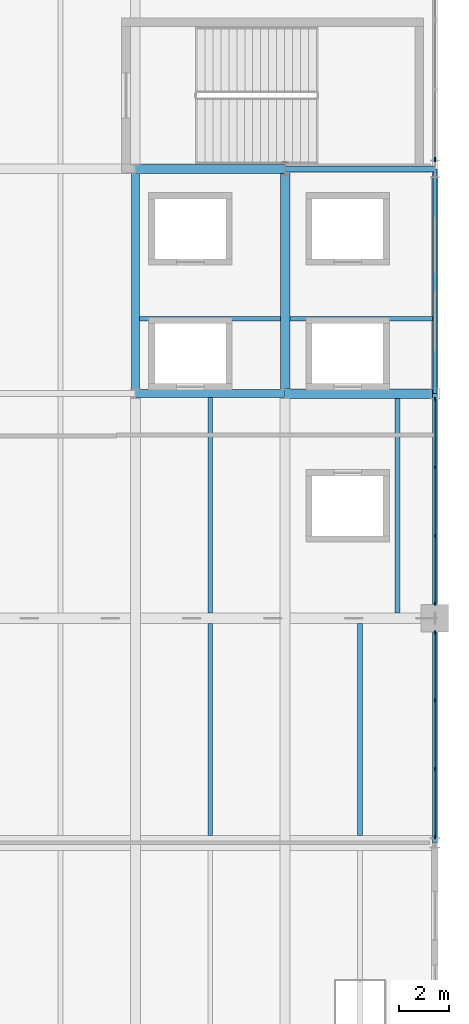
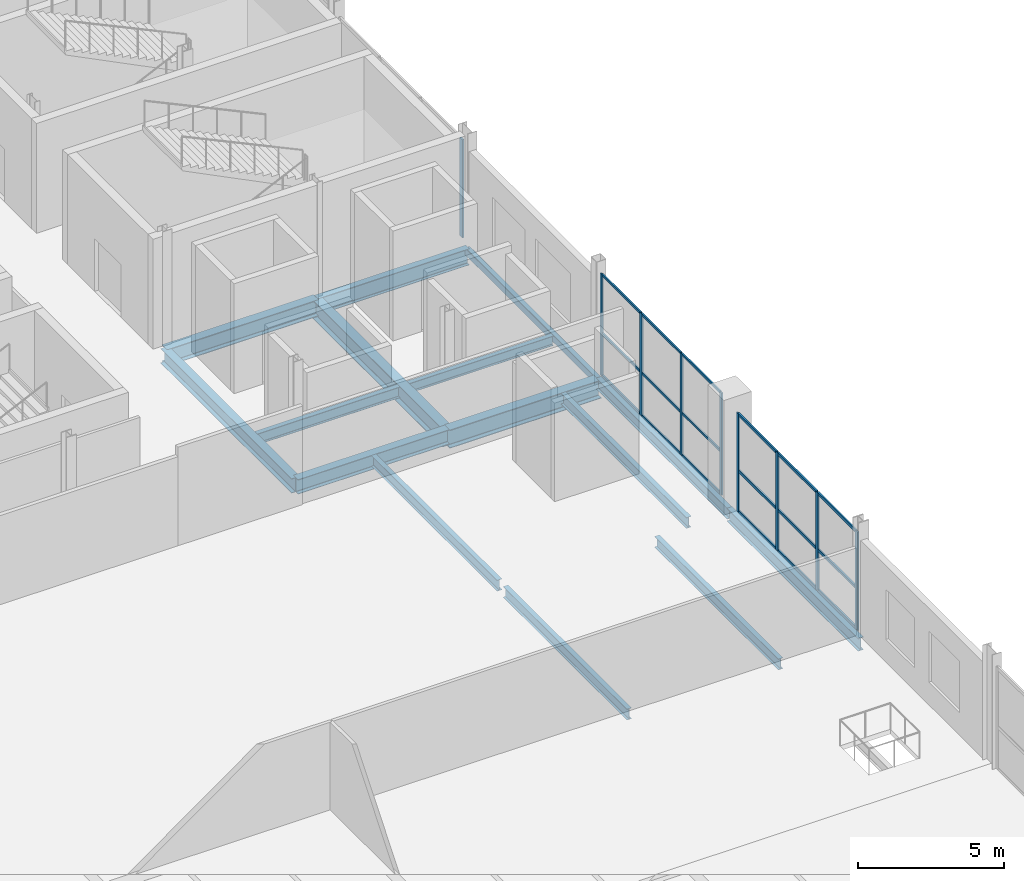
# One storey, part 23 of 69: 27 members, 15 beams, 3 elements without a shape of their own.
"""IFC4 building model written with IfcOpenShell, lengths in metres."""

import ifcopenshell
import ifcopenshell.guid

model = None  # the IFC model being written
_history = None  # IfcOwnerHistory: only IFC2X3 demands one
_inside = {}  # id of a spatial element -> (the spatial element, [elements in it])
_under = {}  # id of a project, library or spatial element -> (it, [spatial elements below it])
_declared = {}  # id of a project -> (the project, [libraries it declares])
_typed = {}  # id of a type object -> (the type object, [elements of that type])
_made_of = {}  # id of a material, layer set ... -> (it, [elements and type objects made of it])


def new_model(schema):
    """Start an empty IFC model of exactly this schema.

    Asked for "IFC4X3", IfcOpenShell would pick the latest addendum, in which some entities
    have other attributes; the version numbers below select the first issue.
    IFC2X3 requires an IfcOwnerHistory on every rooted entity: one is made here for all.
    """
    global model, _history
    if schema == "IFC4X3":
        model = ifcopenshell.file(schema_version=(4, 3, 0, 0))
    else:
        model = ifcopenshell.file(schema=schema)
    _inside.clear()
    _under.clear()
    _declared.clear()
    _typed.clear()
    _made_of.clear()
    _history = None
    if model.schema == "IFC2X3":
        org = make("IfcOrganization", Name="unknown")
        user = make(
            "IfcPersonAndOrganization",
            ThePerson=make("IfcPerson", FamilyName="unknown"),
            TheOrganization=org,
        )
        app = make(
            "IfcApplication",
            ApplicationDeveloper=org,
            Version="unknown",
            ApplicationFullName="unknown",
            ApplicationIdentifier="unknown",
        )
        _history = make(
            "IfcOwnerHistory",
            OwningUser=user,
            OwningApplication=app,
            ChangeAction="ADDED",
            CreationDate=0,
        )
    return model


def make(cls, **values):
    """One entity of the class cls with the attributes given. An attribute that is None is left unset."""
    return model.create_entity(
        cls, **{name: value for name, value in values.items() if value is not None}
    )


def rooted(cls, **values):
    """An entity with a GlobalId (a new one), such as an element, a storey or a relation."""
    return make(cls, GlobalId=ifcopenshell.guid.new(), OwnerHistory=_history, **values)


def si_unit(unit_type, name, prefix=None):
    """IfcSIUnit, for example si_unit("LENGTHUNIT", "METRE", prefix="MILLI")."""
    return make("IfcSIUnit", UnitType=unit_type, Prefix=prefix, Name=name)


def assignment(units):
    """IfcUnitAssignment: the units of a project."""
    return None if units is None else make("IfcUnitAssignment", Units=units)


def point(xyz):
    """IfcCartesianPoint."""
    return None if xyz is None else make("IfcCartesianPoint", Coordinates=xyz)


def direction(xyz):
    """IfcDirection."""
    return None if xyz is None else make("IfcDirection", DirectionRatios=xyz)


def frame(location, z_axis=None, x_axis=None):
    """IfcAxis2Placement3D, a coordinate frame: its origin and axes. An axis left out is left unset."""
    return make(
        "IfcAxis2Placement3D",
        Location=point(location),
        Axis=direction(z_axis),
        RefDirection=direction(x_axis),
    )


def frame_2d(location, x_axis=None):
    """IfcAxis2Placement2D, a coordinate frame in the plane: its origin and x axis."""
    return make(
        "IfcAxis2Placement2D", Location=point(location), RefDirection=direction(x_axis)
    )


def origin():
    """The frame at (0, 0, 0) with its axes left unset."""
    return frame((0.0, 0.0, 0.0))


def origin_2d():
    """The frame at (0, 0) in the plane with its x axis left unset."""
    return frame_2d((0.0, 0.0))


def place(relative_to, where):
    """IfcLocalPlacement: puts the frame where relative to a parent placement (None: the world)."""
    return make(
        "IfcLocalPlacement", PlacementRelTo=relative_to, RelativePlacement=where
    )


def context(
    kind, dimensions, precision=None, world=None, true_north=None, identifier=None
):
    """IfcGeometricRepresentationContext, for example the 3D "Model" context."""
    return make(
        "IfcGeometricRepresentationContext",
        ContextIdentifier=identifier,
        ContextType=kind,
        CoordinateSpaceDimension=dimensions,
        Precision=precision,
        WorldCoordinateSystem=world,
        TrueNorth=true_north,
    )


def subcontext(parent, identifier, kind, view, scale=None):
    """IfcGeometricRepresentationSubContext, for example "Body" below "Model"."""
    return make(
        "IfcGeometricRepresentationSubContext",
        ContextIdentifier=identifier,
        ContextType=kind,
        ParentContext=parent,
        TargetScale=scale,
        TargetView=view,
    )


def project(units=None, contexts=None):
    """IfcProject with its units and contexts."""
    return rooted(
        "IfcProject",
        Name="project",
        RepresentationContexts=contexts,
        UnitsInContext=assignment(units),
    )


def spatial(cls, under=None, at=None, **own):
    """A site, building, storey or space (cls), placed at a placement, below another one or the project."""
    s = rooted(cls, ObjectPlacement=at, **own)
    if under is not None:
        _under.setdefault(under.id(), (under, []))[1].append(s)
    return s


def profile(cls, at=None, kind="AREA", **sizes):
    """A parametric profile (cls). Its sizes go by their IFC names, for example OverallWidth=200.0."""
    return make(cls, ProfileType=kind, Position=at, **sizes)


def rectangle(**sizes):
    """IfcRectangleProfileDef."""
    return profile("IfcRectangleProfileDef", **sizes)


def hollow_rectangle(**sizes):
    """IfcRectangleHollowProfileDef."""
    return profile("IfcRectangleHollowProfileDef", **sizes)


def i_section(**sizes):
    """IfcIShapeProfileDef."""
    return profile("IfcIShapeProfileDef", **sizes)


def extrude(swept, where, along, depth):
    """IfcExtrudedAreaSolid: the profile swept, set in the frame where, extruded along a direction by depth."""
    return make(
        "IfcExtrudedAreaSolid",
        SweptArea=swept,
        Position=where,
        ExtrudedDirection=direction(along),
        Depth=depth,
    )


def shape(context_of_items, identifier, shape_type, items):
    """IfcShapeRepresentation: the items that make up one representation, for example the "Body"."""
    return make(
        "IfcShapeRepresentation",
        ContextOfItems=context_of_items,
        RepresentationIdentifier=identifier,
        RepresentationType=shape_type,
        Items=items,
    )


def material(Name=None, Category=None):
    """IfcMaterial."""
    return make("IfcMaterial", Name=Name, Category=Category)


def layer(
    of_material, thickness, ventilated=None, Name=None, Category=None, Priority=None
):
    """IfcMaterialLayer: one layer of a wall or slab, of a material (None: an air gap)."""
    return make(
        "IfcMaterialLayer",
        Material=of_material,
        LayerThickness=thickness,
        IsVentilated=ventilated,
        Name=Name,
        Category=Category,
        Priority=Priority,
    )


def layer_set(layers, Name=None):
    """IfcMaterialLayerSet."""
    return make("IfcMaterialLayerSet", MaterialLayers=layers, LayerSetName=Name)


def material_profile(
    of_material, cross_section, Name=None, Category=None, Priority=None
):
    """IfcMaterialProfile: a cross section and its material."""
    return make(
        "IfcMaterialProfile",
        Name=Name,
        Material=of_material,
        Profile=cross_section,
        Priority=Priority,
        Category=Category,
    )


def profile_set(profiles, Name=None, composite=None):
    """IfcMaterialProfileSet."""
    return make(
        "IfcMaterialProfileSet",
        Name=Name,
        MaterialProfiles=profiles,
        CompositeProfile=composite,
    )


def made_of(thing, what):
    """Note that an element or type object is made of a material, layer set ...; save() writes the relation."""
    if what is not None:
        _made_of.setdefault(what.id(), (what, []))[1].append(thing)
    return thing


def type_object(cls, material=None, **own):
    """A type object (cls), such as IfcWallType, which elements share."""
    return made_of(rooted(cls, **own), material)


def element(
    cls,
    number,
    at=None,
    inside=None,
    cuts=None,
    type_object=None,
    material=None,
    context=None,
    identifier="Body",
    shape_type=None,
    held_by="IfcProductDefinitionShape",
    body=None,
    shapes=None,
    **own,
):
    """One element of the class cls, such as IfcWall. Its Tag is "e" and its number.

    at: its placement. inside: the storey or other place that contains it. cuts: it is an
    opening in that element (IfcRelVoidsElement). A single representation is given by context,
    identifier, shape_type and body (its items); several are given by shapes. held_by: the class
    of the entity that holds the representations. save() writes the other relations.
    """
    e = rooted(cls, Tag="e%d" % number, ObjectPlacement=at, **own)
    if body is not None:
        shapes = [shape(context, identifier, shape_type, body)]
    if shapes is not None:
        e.Representation = make(held_by, Representations=shapes)
    if inside is not None:
        _inside.setdefault(inside.id(), (inside, []))[1].append(e)
    if cuts is not None:
        rooted(
            "IfcRelVoidsElement", RelatingBuildingElement=cuts, RelatedOpeningElement=e
        )
    if type_object is not None:
        _typed.setdefault(type_object.id(), (type_object, []))[1].append(e)
    return made_of(e, material)


def aggregate(whole, parts):
    """IfcRelAggregates: a whole, such as a stair, and the parts it consists of."""
    return rooted("IfcRelAggregates", RelatingObject=whole, RelatedObjects=parts)


def save(model, path):
    """Write the relations noted so far, then the file.

    IfcRelAggregates (storeys below a building ...), IfcRelContainedInSpatialStructure (elements
    in a storey), IfcRelDefinesByType, IfcRelAssociatesMaterial and IfcRelDeclares: one each for
    every whole, place, type object, material and project.
    """
    for whole, parts in _under.values():
        aggregate(whole, parts)
    for where, things in _inside.values():
        rooted(
            "IfcRelContainedInSpatialStructure",
            RelatedElements=things,
            RelatingStructure=where,
        )
    for kind, things in _typed.values():
        rooted("IfcRelDefinesByType", RelatedObjects=things, RelatingType=kind)
    for what, things in _made_of.values():
        rooted("IfcRelAssociatesMaterial", RelatedObjects=things, RelatingMaterial=what)
    for by, libraries in _declared.values():
        rooted("IfcRelDeclares", RelatingContext=by, RelatedDefinitions=libraries)
    model.write(path)


model = new_model("IFC4")

# Units and contexts
model_context = context("Model", 3, precision=1e-05, world=origin(), true_north=direction((0.0, 1.0)))
body_context = subcontext(model_context, "Body", "Model", "MODEL_VIEW")
ifc_project = project(units=[si_unit("LENGTHUNIT", "METRE"), si_unit("AREAUNIT", "SQUARE_METRE"), si_unit("VOLUMEUNIT", "CUBIC_METRE"), si_unit("PLANEANGLEUNIT", "RADIAN"), si_unit("MASSUNIT", "GRAM", prefix="KILO")], contexts=[model_context])

# Site, building, storey
site_placement = place(None, origin())
site = spatial("IfcSite", under=ifc_project, at=site_placement, CompositionType="ELEMENT")
building_placement = place(site_placement, origin())
building = spatial("IfcBuilding", under=site, at=building_placement, Name="Qamarlyn Nura Convention Centre", CompositionType="ELEMENT")
storey_placement = place(building_placement, frame((0.0, 0.0, 15.60009765625)))
storey = spatial("IfcBuildingStorey", under=building, at=storey_placement, Name="L03", CompositionType="ELEMENT", Elevation=15.60009765625)

# Beams
ifc_material_1 = material(Name="Steel ASTM A992", Category="steel")
ifc_material_profile_1 = material_profile(ifc_material_1, i_section(OverallWidth=0.323974609375, OverallDepth=0.611083984375, WebThickness=0.0126953125, FlangeThickness=0.01904296875, FilletRadius=0.01611328125, at=origin_2d()), Name="W610X155")
ifc_profile_set_1 = profile_set([ifc_material_profile_1], Name="Steel ASTM A992")
beam_type_1 = type_object("IfcBeamType", Name="BM-GIRD-610", PredefinedType="BEAM", material=ifc_profile_set_1)
beam_1_placement = place(storey_placement, frame((180.0, 54.0, -0.505615234375), z_axis=(1.0, 0.0, 0.0), x_axis=(0.0, 1.0, 0.0)))
element("IfcBeam", 1, at=beam_1_placement, inside=storey, type_object=beam_type_1, Name="L03 girder G 16-17", PredefinedType="BEAM", context=body_context, shape_type="SweptSolid", body=[
    extrude(i_section(OverallWidth=0.323974609375, OverallDepth=0.611083984375, WebThickness=0.0126953125, FlangeThickness=0.01904296875, FilletRadius=0.01611328125, at=origin_2d()), origin(), (0.0, 0.0, 1.0), 6.0),
])
beam_2_placement = place(storey_placement, frame((180.0, 54.0, -0.505615234375), z_axis=(0.0, 1.0, 0.0), x_axis=(-1.0, 0.0, 0.0)))
element("IfcBeam", 2, at=beam_2_placement, inside=storey, type_object=beam_type_1, Name="L03 girder 16 G-H", PredefinedType="BEAM", context=body_context, shape_type="SweptSolid", body=[
    extrude(i_section(OverallWidth=0.323974609375, OverallDepth=0.611083984375, WebThickness=0.0126953125, FlangeThickness=0.01904296875, FilletRadius=0.01611328125, at=origin_2d()), origin(), (0.0, 0.0, 1.0), 9.0),
])
ifc_material_profile_2 = material_profile(ifc_material_1, i_section(OverallWidth=0.35498046875, OverallDepth=0.695068359375, WebThickness=0.015380859375, FlangeThickness=0.02490234375, FilletRadius=0.01806640625, at=origin_2d()), Name="W690X217")
ifc_profile_set_2 = profile_set([ifc_material_profile_2], Name="Steel ASTM A992")
beam_type_2 = type_object("IfcBeamType", Name="BM-GIRD-690A", PredefinedType="BEAM", material=ifc_profile_set_2)
beam_3_placement = place(storey_placement, frame((180.0, 63.0, -0.547607421875), z_axis=(1.0, 0.0, 0.0), x_axis=(0.0, 1.0, 0.0)))
element("IfcBeam", 3, at=beam_3_placement, inside=storey, type_object=beam_type_2, Name="L03 girder H 16-17", PredefinedType="BEAM", context=body_context, shape_type="SweptSolid", body=[
    extrude(i_section(OverallWidth=0.35498046875, OverallDepth=0.695068359375, WebThickness=0.015380859375, FlangeThickness=0.02490234375, FilletRadius=0.01806640625, at=origin_2d()), origin(), (0.0, 0.0, 1.0), 6.0),
])
ifc_material_profile_3 = material_profile(ifc_material_1, i_section(OverallWidth=0.25390625, OverallDepth=0.68408203125, WebThickness=0.012451171875, FlangeThickness=0.01904296875, FilletRadius=0.01806640625, at=origin_2d()), Name="W690X140")
ifc_profile_set_3 = profile_set([ifc_material_profile_3], Name="Steel ASTM A992")
beam_type_3 = type_object("IfcBeamType", Name="BM-GIRD-690B", PredefinedType="BEAM", material=ifc_profile_set_3)
beam_4_placement = place(storey_placement, frame((186.0, 63.0, -0.5419921875), z_axis=(1.0, 0.0, 0.0), x_axis=(0.0, 1.0, 0.0)))
element("IfcBeam", 4, at=beam_4_placement, inside=storey, type_object=beam_type_3, Name="L03 girder H 17-18", PredefinedType="BEAM", context=body_context, shape_type="SweptSolid", body=[
    extrude(i_section(OverallWidth=0.25390625, OverallDepth=0.68408203125, WebThickness=0.012451171875, FlangeThickness=0.01904296875, FilletRadius=0.01806640625, at=origin_2d()), origin(), (0.0, 0.0, 1.0), 6.0),
])
ifc_material_profile_4 = material_profile(ifc_material_1, i_section(OverallWidth=0.381103515625, OverallDepth=0.77294921875, WebThickness=0.0166015625, FlangeThickness=0.027587890625, FilletRadius=0.02001953125, at=origin_2d()), Name="W760X257")
ifc_profile_set_4 = profile_set([ifc_material_profile_4], Name="Steel ASTM A992")
beam_type_4 = type_object("IfcBeamType", Name="BM-GIRD-760", PredefinedType="BEAM", material=ifc_profile_set_4)
beam_5_placement = place(storey_placement, frame((186.0, 54.0, -0.586669921875), z_axis=(1.0, 0.0, 0.0), x_axis=(0.0, 1.0, 0.0)))
element("IfcBeam", 5, at=beam_5_placement, inside=storey, type_object=beam_type_4, Name="L03 girder G 17-18", PredefinedType="BEAM", context=body_context, shape_type="SweptSolid", body=[
    extrude(i_section(OverallWidth=0.381103515625, OverallDepth=0.77294921875, WebThickness=0.0166015625, FlangeThickness=0.027587890625, FilletRadius=0.02001953125, at=origin_2d()), origin(), (0.0, 0.0, 1.0), 6.0),
])
beam_6_placement = place(storey_placement, frame((186.0, 54.0, -0.586669921875), z_axis=(0.0, 1.0, 0.0), x_axis=(-1.0, 0.0, 0.0)))
element("IfcBeam", 6, at=beam_6_placement, inside=storey, type_object=beam_type_4, Name="L03 girder 17 G-H", PredefinedType="BEAM", context=body_context, shape_type="SweptSolid", body=[
    extrude(i_section(OverallWidth=0.381103515625, OverallDepth=0.77294921875, WebThickness=0.0166015625, FlangeThickness=0.027587890625, FilletRadius=0.02001953125, at=origin_2d()), origin(), (0.0, 0.0, 1.0), 9.0),
])
ifc_material_profile_5 = material_profile(ifc_material_1, i_section(OverallWidth=0.177978515625, OverallDepth=0.406982421875, WebThickness=0.0078125, FlangeThickness=0.0126953125, FilletRadius=0.011962890625, at=origin_2d()), Name="W410X60")
ifc_profile_set_5 = profile_set([ifc_material_profile_5], Name="Steel ASTM A992")
beam_type_5 = type_object("IfcBeamType", Name="BM-JOIST-410", PredefinedType="JOIST", material=ifc_profile_set_5)
beam_7_placement = place(storey_placement, frame((186.1904296875, 57.0, -0.403564453125), z_axis=(1.0, 0.0, 0.0), x_axis=(0.0, 1.0, 0.0)))
element("IfcBeam", 7, at=beam_7_placement, inside=storey, type_object=beam_type_5, Name="L03 composite joist 17-18/G+1", PredefinedType="JOIST", context=body_context, shape_type="SweptSolid", body=[
    extrude(i_section(OverallWidth=0.177978515625, OverallDepth=0.406982421875, WebThickness=0.0078125, FlangeThickness=0.0126953125, FilletRadius=0.011962890625, at=origin_2d()), origin(), (0.0, 0.0, 1.0), 5.70947265625),
])
ifc_material_profile_6 = material_profile(ifc_material_1, i_section(OverallWidth=0.18994140625, OverallDepth=0.45703125, WebThickness=0.009033203125, FlangeThickness=0.014404296875, FilletRadius=0.012939453125, at=origin_2d()), Name="W460X74")
ifc_profile_set_6 = profile_set([ifc_material_profile_6], Name="Steel ASTM A992")
beam_type_6 = type_object("IfcBeamType", Name="BM-JOIST-460", PredefinedType="JOIST", material=ifc_profile_set_6)
beam_8_placement = place(storey_placement, frame((180.162109375, 57.0, -0.4287109375), z_axis=(1.0, 0.0, 0.0), x_axis=(0.0, 1.0, 0.0)))
element("IfcBeam", 8, at=beam_8_placement, inside=storey, type_object=beam_type_6, Name="L03 composite joist 16-17/G+1", PredefinedType="JOIST", context=body_context, shape_type="SweptSolid", body=[
    extrude(i_section(OverallWidth=0.18994140625, OverallDepth=0.45703125, WebThickness=0.009033203125, FlangeThickness=0.014404296875, FilletRadius=0.012939453125, at=origin_2d()), origin(), (0.0, 0.0, 1.0), 5.6474609375),
])
beam_9_placement = place(storey_placement, frame((183.0, 36.300048828125, -0.4287109375), z_axis=(0.0, 1.0, 0.0), x_axis=(-1.0, 0.0, 0.0)))
element("IfcBeam", 9, at=beam_9_placement, inside=storey, type_object=beam_type_6, Name="L03 secondary joist 16-17/E-F-44", PredefinedType="JOIST", context=body_context, shape_type="SweptSolid", body=[
    extrude(i_section(OverallWidth=0.18994140625, OverallDepth=0.45703125, WebThickness=0.009033203125, FlangeThickness=0.014404296875, FilletRadius=0.012939453125, at=origin_2d()), origin(), (0.0, 0.0, 1.0), 8.490966796875),
])
beam_10_placement = place(storey_placement, frame((183.0, 45.208984375, -0.4287109375), z_axis=(0.0, 1.0, 0.0), x_axis=(-1.0, 0.0, 0.0)))
element("IfcBeam", 10, at=beam_10_placement, inside=storey, type_object=beam_type_6, Name="L03 secondary joist 16-17/F-G-45", PredefinedType="JOIST", context=body_context, shape_type="SweptSolid", body=[
    extrude(i_section(OverallWidth=0.18994140625, OverallDepth=0.45703125, WebThickness=0.009033203125, FlangeThickness=0.014404296875, FilletRadius=0.012939453125, at=origin_2d()), origin(), (0.0, 0.0, 1.0), 8.62890625),
])
beam_11_placement = place(storey_placement, frame((189.0, 36.300048828125, -0.4287109375), z_axis=(0.0, 1.0, 0.0), x_axis=(-1.0, 0.0, 0.0)))
element("IfcBeam", 11, at=beam_11_placement, inside=storey, type_object=beam_type_6, Name="L03 secondary joist 17-18/E-F-49", PredefinedType="JOIST", context=body_context, shape_type="SweptSolid", body=[
    extrude(i_section(OverallWidth=0.18994140625, OverallDepth=0.45703125, WebThickness=0.009033203125, FlangeThickness=0.014404296875, FilletRadius=0.012939453125, at=origin_2d()), origin(), (0.0, 0.0, 1.0), 8.490966796875),
])
beam_12_placement = place(storey_placement, frame((190.5, 45.208984375, -0.4287109375), z_axis=(0.0, 1.0, 0.0), x_axis=(-1.0, 0.0, 0.0)))
element("IfcBeam", 12, at=beam_12_placement, inside=storey, type_object=beam_type_6, Name="L03 secondary joist 17-18/F-G-50", PredefinedType="JOIST", context=body_context, shape_type="SweptSolid", body=[
    extrude(i_section(OverallWidth=0.18994140625, OverallDepth=0.45703125, WebThickness=0.009033203125, FlangeThickness=0.014404296875, FilletRadius=0.012939453125, at=origin_2d()), origin(), (0.0, 0.0, 1.0), 8.6005859375),
])
ifc_material_profile_7 = material_profile(ifc_material_1, i_section(OverallWidth=0.193115234375, OverallDepth=0.466064453125, WebThickness=0.011474609375, FlangeThickness=0.01904296875, FilletRadius=0.012939453125, at=origin_2d()), Name="W460X97")
ifc_profile_set_7 = profile_set([ifc_material_profile_7], Name="Steel ASTM A992")
beam_type_7 = type_object("IfcBeamType", Name="BM-SPAN-460", PredefinedType="SPANDREL", material=ifc_profile_set_7)
beam_13_placement = place(storey_placement, frame((192.0, 45.0, -0.43310546875), z_axis=(0.0, 1.0, 0.0), x_axis=(-1.0, 0.0, 0.0)))
element("IfcBeam", 13, at=beam_13_placement, inside=storey, type_object=beam_type_7, Name="L03 girder 18 F-G", PredefinedType="SPANDREL", context=body_context, shape_type="SweptSolid", body=[
    extrude(i_section(OverallWidth=0.193115234375, OverallDepth=0.466064453125, WebThickness=0.011474609375, FlangeThickness=0.01904296875, FilletRadius=0.012939453125, at=origin_2d()), origin(), (0.0, 0.0, 1.0), 9.0),
])
ifc_material_profile_8 = material_profile(ifc_material_1, i_section(OverallWidth=0.2109375, OverallDepth=0.5390625, WebThickness=0.01171875, FlangeThickness=0.018798828125, FilletRadius=0.013916015625, at=origin_2d()), Name="W530X109")
ifc_profile_set_8 = profile_set([ifc_material_profile_8], Name="Steel ASTM A992")
beam_type_8 = type_object("IfcBeamType", Name="BM-SPAN-530", PredefinedType="SPANDREL", material=ifc_profile_set_8)
beam_14_placement = place(storey_placement, frame((192.0, 36.0, -0.469482421875), z_axis=(0.0, 1.0, 0.0), x_axis=(-1.0, 0.0, 0.0)))
element("IfcBeam", 14, at=beam_14_placement, inside=storey, type_object=beam_type_8, Name="L03 girder 18 E-F", PredefinedType="SPANDREL", context=body_context, shape_type="SweptSolid", body=[
    extrude(i_section(OverallWidth=0.2109375, OverallDepth=0.5390625, WebThickness=0.01171875, FlangeThickness=0.018798828125, FilletRadius=0.013916015625, at=origin_2d()), origin(), (0.0, 0.0, 1.0), 9.0),
])
ifc_material_2 = material(Name="Steel ASTM A500 Grade C", Category="steel")
ifc_material_profile_9 = material_profile(ifc_material_2, hollow_rectangle(XDim=0.199951171875, YDim=0.300048828125, WallThickness=0.012451171875, InnerFilletRadius=0.012451171875, OuterFilletRadius=0.02490234375, at=origin_2d()), Name="HSS300X200X12.5")
ifc_profile_set_9 = profile_set([ifc_material_profile_9], Name="Steel ASTM A500 Grade C")
beam_type_9 = type_object("IfcBeamType", Name="BM-SPAN-HSS", PredefinedType="SPANDREL", material=ifc_profile_set_9)
beam_15_placement = place(storey_placement, frame((192.0, 54.0, -0.35009765625), z_axis=(0.0, 1.0, 0.0), x_axis=(-1.0, 0.0, 0.0)))
element("IfcBeam", 15, at=beam_15_placement, inside=storey, type_object=beam_type_9, Name="L03 girder 18 G-H", PredefinedType="SPANDREL", context=body_context, shape_type="SweptSolid", body=[
    extrude(hollow_rectangle(XDim=0.199951171875, YDim=0.300048828125, WallThickness=0.012451171875, InnerFilletRadius=0.012451171875, OuterFilletRadius=0.02490234375, at=origin_2d()), origin(), (0.0, 0.0, 1.0), 9.0),
])

# Curtain wall, members
ifc_material_3 = material(Name="Double-silver low-E insulated glass", Category="glass")
ifc_layer_1 = layer(ifc_material_3, 0.179931640625, Name="CW-UNIT-113")
ifc_layer_set_1 = layer_set([ifc_layer_1], Name="Double-silver low-E insulated glass")
curtain_wall_type_1 = type_object("IfcCurtainWallType", Name="CW-UNIT-113", PredefinedType="NOTDEFINED", material=ifc_layer_set_1)
curtain_wall_1_placement = place(storey_placement, origin())
curtain_wall_1 = element("IfcCurtainWall", 16, at=curtain_wall_1_placement, inside=storey, type_object=curtain_wall_type_1, Name="L03 unitised curtain wall EAST-6-1", PredefinedType="NOTDEFINED")
ifc_material_4 = material(Name="Champagne-anodised marine aluminium", Category="aluminium")
ifc_material_profile_10 = material_profile(ifc_material_4, rectangle(XDim=0.06005859375, YDim=0.139892578125, at=origin_2d()), Name="ALU MULLION 60x140")
ifc_profile_set_10 = profile_set([ifc_material_profile_10], Name="Champagne-anodised marine aluminium")
member_type_1 = type_object("IfcMemberType", Name="CWM-140", PredefinedType="MULLION", material=ifc_profile_set_10)
member_1_placement = place(storey_placement, frame((192.0, 53.77001953125, 0.0), z_axis=(0.0, 0.0, 1.0), x_axis=(1.0, 0.0, 0.0)))
member_1 = element("IfcMember", 17, at=member_1_placement, type_object=member_type_1, Name="CW113 mullion 1", PredefinedType="MULLION", context=body_context, shape_type="SweptSolid", body=[
    extrude(rectangle(XDim=0.06005859375, YDim=0.139892578125, at=origin_2d()), origin(), (0.0, 0.0, 1.0), 4.284912109375),
])
member_2_placement = place(storey_placement, frame((192.0, 51.050048828125, 0.0), z_axis=(0.0, 0.0, 1.0), x_axis=(1.0, 0.0, 0.0)))
member_2 = element("IfcMember", 18, at=member_2_placement, type_object=member_type_1, Name="CW113 mullion 2", PredefinedType="MULLION", context=body_context, shape_type="SweptSolid", body=[
    extrude(rectangle(XDim=0.06005859375, YDim=0.139892578125, at=origin_2d()), origin(), (0.0, 0.0, 1.0), 4.284912109375),
])
member_3_placement = place(storey_placement, frame((192.0, 48.300048828125, 0.0), z_axis=(0.0, 0.0, 1.0), x_axis=(1.0, 0.0, 0.0)))
member_3 = element("IfcMember", 19, at=member_3_placement, type_object=member_type_1, Name="CW113 mullion 3", PredefinedType="MULLION", context=body_context, shape_type="SweptSolid", body=[
    extrude(rectangle(XDim=0.06005859375, YDim=0.139892578125, at=origin_2d()), origin(), (0.0, 0.0, 1.0), 4.284912109375),
])
member_4_placement = place(storey_placement, frame((192.0, 45.580078125, 0.0), z_axis=(0.0, 0.0, 1.0), x_axis=(1.0, 0.0, 0.0)))
member_4 = element("IfcMember", 20, at=member_4_placement, type_object=member_type_1, Name="CW113 mullion 4", PredefinedType="MULLION", context=body_context, shape_type="SweptSolid", body=[
    extrude(rectangle(XDim=0.06005859375, YDim=0.139892578125, at=origin_2d()), origin(), (0.0, 0.0, 1.0), 4.284912109375),
])

ifc_layer_2 = layer(ifc_material_3, 0.179931640625, Name="CW-UNIT-94")
ifc_layer_set_2 = layer_set([ifc_layer_2], Name="Double-silver low-E insulated glass")
curtain_wall_type_2 = type_object("IfcCurtainWallType", Name="CW-UNIT-94", PredefinedType="NOTDEFINED", material=ifc_layer_set_2)
curtain_wall_2_placement = place(storey_placement, origin())
curtain_wall_2 = element("IfcCurtainWall", 21, at=curtain_wall_2_placement, inside=storey, type_object=curtain_wall_type_2, Name="L03 unitised curtain wall EAST-5-1", PredefinedType="NOTDEFINED")
ifc_material_profile_11 = material_profile(ifc_material_4, rectangle(XDim=0.06494140625, YDim=0.159912109375, at=origin_2d()), Name="ALU MULLION 65x160")
ifc_profile_set_11 = profile_set([ifc_material_profile_11], Name="Champagne-anodised marine aluminium")
member_type_2 = type_object("IfcMemberType", Name="CWM-160", PredefinedType="MULLION", material=ifc_profile_set_11)
member_5_placement = place(storey_placement, frame((192.0, 44.41748046875, 0.0), z_axis=(0.0, 0.0, 1.0), x_axis=(1.0, 0.0, 0.0)))
member_5 = element("IfcMember", 22, at=member_5_placement, type_object=member_type_2, Name="CW94 mullion 1", PredefinedType="MULLION", context=body_context, shape_type="SweptSolid", body=[
    extrude(rectangle(XDim=0.06494140625, YDim=0.159912109375, at=origin_2d()), origin(), (0.0, 0.0, 1.0), 4.118896484375),
])
member_6_placement = place(storey_placement, frame((192.0, 41.7041015625, 0.0), z_axis=(0.0, 0.0, 1.0), x_axis=(1.0, 0.0, 0.0)))
member_6 = element("IfcMember", 23, at=member_6_placement, type_object=member_type_2, Name="CW94 mullion 2", PredefinedType="MULLION", context=body_context, shape_type="SweptSolid", body=[
    extrude(rectangle(XDim=0.06494140625, YDim=0.159912109375, at=origin_2d()), origin(), (0.0, 0.0, 1.0), 4.118896484375),
])
member_7_placement = place(storey_placement, frame((192.0, 38.958251953125, 0.0), z_axis=(0.0, 0.0, 1.0), x_axis=(1.0, 0.0, 0.0)))
member_7 = element("IfcMember", 24, at=member_7_placement, type_object=member_type_2, Name="CW94 mullion 3", PredefinedType="MULLION", context=body_context, shape_type="SweptSolid", body=[
    extrude(rectangle(XDim=0.06494140625, YDim=0.159912109375, at=origin_2d()), origin(), (0.0, 0.0, 1.0), 4.118896484375),
])
member_8_placement = place(storey_placement, frame((192.0, 36.2451171875, 0.0), z_axis=(0.0, 0.0, 1.0), x_axis=(1.0, 0.0, 0.0)))
member_8 = element("IfcMember", 25, at=member_8_placement, type_object=member_type_2, Name="CW94 mullion 4", PredefinedType="MULLION", context=body_context, shape_type="SweptSolid", body=[
    extrude(rectangle(XDim=0.06494140625, YDim=0.159912109375, at=origin_2d()), origin(), (0.0, 0.0, 1.0), 4.118896484375),
])

# Curtain wall, member
ifc_layer_3 = layer(ifc_material_3, 0.179931640625, Name="CW-UNIT-114")
ifc_layer_set_3 = layer_set([ifc_layer_3], Name="Double-silver low-E insulated glass")
curtain_wall_type_3 = type_object("IfcCurtainWallType", Name="CW-UNIT-114", PredefinedType="NOTDEFINED", material=ifc_layer_set_3)
curtain_wall_3_placement = place(storey_placement, origin())
curtain_wall_3 = element("IfcCurtainWall", 26, at=curtain_wall_3_placement, inside=storey, type_object=curtain_wall_type_3, Name="L03 unitised curtain wall EAST-8-1", PredefinedType="NOTDEFINED")
ifc_material_profile_12 = material_profile(ifc_material_4, rectangle(XDim=0.070068359375, YDim=0.179931640625, at=origin_2d()), Name="ALU MULLION 70x180")
ifc_profile_set_12 = profile_set([ifc_material_profile_12], Name="Champagne-anodised marine aluminium")
member_type_3 = type_object("IfcMemberType", Name="CWM-180", PredefinedType="MULLION", material=ifc_profile_set_12)
member_9_placement = place(storey_placement, frame((192.0, 63.382568359375, 0.0), z_axis=(0.0, 0.0, 1.0), x_axis=(1.0, 0.0, 0.0)))
member_9 = element("IfcMember", 27, at=member_9_placement, type_object=member_type_3, Name="CW114 mullion 4", PredefinedType="MULLION", context=body_context, shape_type="SweptSolid", body=[
    extrude(rectangle(XDim=0.070068359375, YDim=0.179931640625, at=origin_2d()), origin(), (0.0, 0.0, 1.0), 4.118896484375),
])
aggregate(curtain_wall_3, [member_9])

# Member
ifc_material_profile_13 = material_profile(ifc_material_4, rectangle(XDim=0.06005859375, YDim=0.10009765625, at=origin_2d()), Name="ALU TRANSOM 60x100")
ifc_profile_set_13 = profile_set([ifc_material_profile_13], Name="Champagne-anodised marine aluminium")
member_type_4 = type_object("IfcMemberType", Name="CWT-100", PredefinedType="USERDEFINED", material=ifc_profile_set_13)
member_10_placement = place(storey_placement, frame((192.0, 53.739990234375, 0.02978515625), z_axis=(0.0, -1.0, 0.0), x_axis=(1.0, 0.0, 0.0)))
member_10 = element("IfcMember", 28, at=member_10_placement, type_object=member_type_4, Name="CW113 transom 1.1", ObjectType="TRANSOM", PredefinedType="USERDEFINED", context=body_context, shape_type="SweptSolid", body=[
    extrude(rectangle(XDim=0.06005859375, YDim=0.10009765625, at=origin_2d()), origin(), (0.0, 0.0, 1.0), 2.659912109375),
])

member_11_placement = place(storey_placement, frame((192.0, 53.739990234375, 1.7998046875), z_axis=(0.0, -1.0, 0.0), x_axis=(1.0, 0.0, 0.0)))
member_11 = element("IfcMember", 29, at=member_11_placement, type_object=member_type_4, Name="CW113 transom 1.2", ObjectType="TRANSOM", PredefinedType="USERDEFINED", context=body_context, shape_type="SweptSolid", body=[
    extrude(rectangle(XDim=0.06005859375, YDim=0.10009765625, at=origin_2d()), origin(), (0.0, 0.0, 1.0), 2.659912109375),
])

member_12_placement = place(storey_placement, frame((192.0, 53.739990234375, 4.2548828125), z_axis=(0.0, -1.0, 0.0), x_axis=(1.0, 0.0, 0.0)))
member_12 = element("IfcMember", 30, at=member_12_placement, type_object=member_type_4, Name="CW113 transom 1.3", ObjectType="TRANSOM", PredefinedType="USERDEFINED", context=body_context, shape_type="SweptSolid", body=[
    extrude(rectangle(XDim=0.06005859375, YDim=0.10009765625, at=origin_2d()), origin(), (0.0, 0.0, 1.0), 2.659912109375),
])

member_13_placement = place(storey_placement, frame((192.0, 51.02001953125, 0.02978515625), z_axis=(0.0, -1.0, 0.0), x_axis=(1.0, 0.0, 0.0)))
member_13 = element("IfcMember", 31, at=member_13_placement, type_object=member_type_4, Name="CW113 transom 2.1", ObjectType="TRANSOM", PredefinedType="USERDEFINED", context=body_context, shape_type="SweptSolid", body=[
    extrude(rectangle(XDim=0.06005859375, YDim=0.10009765625, at=origin_2d()), origin(), (0.0, 0.0, 1.0), 2.68994140625),
])

member_14_placement = place(storey_placement, frame((192.0, 51.02001953125, 1.7998046875), z_axis=(0.0, -1.0, 0.0), x_axis=(1.0, 0.0, 0.0)))
member_14 = element("IfcMember", 32, at=member_14_placement, type_object=member_type_4, Name="CW113 transom 2.2", ObjectType="TRANSOM", PredefinedType="USERDEFINED", context=body_context, shape_type="SweptSolid", body=[
    extrude(rectangle(XDim=0.06005859375, YDim=0.10009765625, at=origin_2d()), origin(), (0.0, 0.0, 1.0), 2.68994140625),
])

member_15_placement = place(storey_placement, frame((192.0, 51.02001953125, 4.2548828125), z_axis=(0.0, -1.0, 0.0), x_axis=(1.0, 0.0, 0.0)))
member_15 = element("IfcMember", 33, at=member_15_placement, type_object=member_type_4, Name="CW113 transom 2.3", ObjectType="TRANSOM", PredefinedType="USERDEFINED", context=body_context, shape_type="SweptSolid", body=[
    extrude(rectangle(XDim=0.06005859375, YDim=0.10009765625, at=origin_2d()), origin(), (0.0, 0.0, 1.0), 2.68994140625),
])

member_16_placement = place(storey_placement, frame((192.0, 48.27001953125, 0.02978515625), z_axis=(0.0, -1.0, 0.0), x_axis=(1.0, 0.0, 0.0)))
member_16 = element("IfcMember", 34, at=member_16_placement, type_object=member_type_4, Name="CW113 transom 3.1", ObjectType="TRANSOM", PredefinedType="USERDEFINED", context=body_context, shape_type="SweptSolid", body=[
    extrude(rectangle(XDim=0.06005859375, YDim=0.10009765625, at=origin_2d()), origin(), (0.0, 0.0, 1.0), 2.659912109375),
])

member_17_placement = place(storey_placement, frame((192.0, 48.27001953125, 1.7998046875), z_axis=(0.0, -1.0, 0.0), x_axis=(1.0, 0.0, 0.0)))
member_17 = element("IfcMember", 35, at=member_17_placement, type_object=member_type_4, Name="CW113 transom 3.2", ObjectType="TRANSOM", PredefinedType="USERDEFINED", context=body_context, shape_type="SweptSolid", body=[
    extrude(rectangle(XDim=0.06005859375, YDim=0.10009765625, at=origin_2d()), origin(), (0.0, 0.0, 1.0), 2.659912109375),
])

member_18_placement = place(storey_placement, frame((192.0, 48.27001953125, 4.2548828125), z_axis=(0.0, -1.0, 0.0), x_axis=(1.0, 0.0, 0.0)))
member_18 = element("IfcMember", 36, at=member_18_placement, type_object=member_type_4, Name="CW113 transom 3.3", ObjectType="TRANSOM", PredefinedType="USERDEFINED", context=body_context, shape_type="SweptSolid", body=[
    extrude(rectangle(XDim=0.06005859375, YDim=0.10009765625, at=origin_2d()), origin(), (0.0, 0.0, 1.0), 2.659912109375),
])

aggregate(curtain_wall_1, [member_1, member_2, member_3, member_4, member_10, member_11, member_12, member_13, member_14, member_15, member_16, member_17, member_18])

ifc_material_profile_14 = material_profile(ifc_material_4, rectangle(XDim=0.06494140625, YDim=0.1201171875, at=origin_2d()), Name="ALU TRANSOM 65x120")
ifc_profile_set_14 = profile_set([ifc_material_profile_14], Name="Champagne-anodised marine aluminium")
member_type_5 = type_object("IfcMemberType", Name="CWT-120", PredefinedType="USERDEFINED", material=ifc_profile_set_14)
member_19_placement = place(storey_placement, frame((192.0, 44.385009765625, 0.032470703125), z_axis=(0.0, -1.0, 0.0), x_axis=(1.0, 0.0, 0.0)))
member_19 = element("IfcMember", 37, at=member_19_placement, type_object=member_type_5, Name="CW94 transom 1.1", ObjectType="TRANSOM", PredefinedType="USERDEFINED", context=body_context, shape_type="SweptSolid", body=[
    extrude(rectangle(XDim=0.06494140625, YDim=0.1201171875, at=origin_2d()), origin(), (0.0, 0.0, 1.0), 2.6484375),
])

member_20_placement = place(storey_placement, frame((192.0, 44.385009765625, 1.72998046875), z_axis=(0.0, -1.0, 0.0), x_axis=(1.0, 0.0, 0.0)))
member_20 = element("IfcMember", 38, at=member_20_placement, type_object=member_type_5, Name="CW94 transom 1.2", ObjectType="TRANSOM", PredefinedType="USERDEFINED", context=body_context, shape_type="SweptSolid", body=[
    extrude(rectangle(XDim=0.06494140625, YDim=0.1201171875, at=origin_2d()), origin(), (0.0, 0.0, 1.0), 2.6484375),
])

member_21_placement = place(storey_placement, frame((192.0, 44.385009765625, 4.08642578125), z_axis=(0.0, -1.0, 0.0), x_axis=(1.0, 0.0, 0.0)))
member_21 = element("IfcMember", 39, at=member_21_placement, type_object=member_type_5, Name="CW94 transom 1.3", ObjectType="TRANSOM", PredefinedType="USERDEFINED", context=body_context, shape_type="SweptSolid", body=[
    extrude(rectangle(XDim=0.06494140625, YDim=0.1201171875, at=origin_2d()), origin(), (0.0, 0.0, 1.0), 2.6484375),
])

member_22_placement = place(storey_placement, frame((192.0, 41.671630859375, 0.032470703125), z_axis=(0.0, -1.0, 0.0), x_axis=(1.0, 0.0, 0.0)))
member_22 = element("IfcMember", 40, at=member_22_placement, type_object=member_type_5, Name="CW94 transom 2.1", ObjectType="TRANSOM", PredefinedType="USERDEFINED", context=body_context, shape_type="SweptSolid", body=[
    extrude(rectangle(XDim=0.06494140625, YDim=0.1201171875, at=origin_2d()), origin(), (0.0, 0.0, 1.0), 2.680908203125),
])

member_23_placement = place(storey_placement, frame((192.0, 41.671630859375, 1.72998046875), z_axis=(0.0, -1.0, 0.0), x_axis=(1.0, 0.0, 0.0)))
member_23 = element("IfcMember", 41, at=member_23_placement, type_object=member_type_5, Name="CW94 transom 2.2", ObjectType="TRANSOM", PredefinedType="USERDEFINED", context=body_context, shape_type="SweptSolid", body=[
    extrude(rectangle(XDim=0.06494140625, YDim=0.1201171875, at=origin_2d()), origin(), (0.0, 0.0, 1.0), 2.680908203125),
])

member_24_placement = place(storey_placement, frame((192.0, 41.671630859375, 4.08642578125), z_axis=(0.0, -1.0, 0.0), x_axis=(1.0, 0.0, 0.0)))
member_24 = element("IfcMember", 42, at=member_24_placement, type_object=member_type_5, Name="CW94 transom 2.3", ObjectType="TRANSOM", PredefinedType="USERDEFINED", context=body_context, shape_type="SweptSolid", body=[
    extrude(rectangle(XDim=0.06494140625, YDim=0.1201171875, at=origin_2d()), origin(), (0.0, 0.0, 1.0), 2.680908203125),
])

member_25_placement = place(storey_placement, frame((192.0, 38.92578125, 0.032470703125), z_axis=(0.0, -1.0, 0.0), x_axis=(1.0, 0.0, 0.0)))
member_25 = element("IfcMember", 43, at=member_25_placement, type_object=member_type_5, Name="CW94 transom 3.1", ObjectType="TRANSOM", PredefinedType="USERDEFINED", context=body_context, shape_type="SweptSolid", body=[
    extrude(rectangle(XDim=0.06494140625, YDim=0.1201171875, at=origin_2d()), origin(), (0.0, 0.0, 1.0), 2.648193359375),
])

member_26_placement = place(storey_placement, frame((192.0, 38.92578125, 1.72998046875), z_axis=(0.0, -1.0, 0.0), x_axis=(1.0, 0.0, 0.0)))
member_26 = element("IfcMember", 44, at=member_26_placement, type_object=member_type_5, Name="CW94 transom 3.2", ObjectType="TRANSOM", PredefinedType="USERDEFINED", context=body_context, shape_type="SweptSolid", body=[
    extrude(rectangle(XDim=0.06494140625, YDim=0.1201171875, at=origin_2d()), origin(), (0.0, 0.0, 1.0), 2.648193359375),
])

member_27_placement = place(storey_placement, frame((192.0, 38.92578125, 4.08642578125), z_axis=(0.0, -1.0, 0.0), x_axis=(1.0, 0.0, 0.0)))
member_27 = element("IfcMember", 45, at=member_27_placement, type_object=member_type_5, Name="CW94 transom 3.3", ObjectType="TRANSOM", PredefinedType="USERDEFINED", context=body_context, shape_type="SweptSolid", body=[
    extrude(rectangle(XDim=0.06494140625, YDim=0.1201171875, at=origin_2d()), origin(), (0.0, 0.0, 1.0), 2.648193359375),
])

aggregate(curtain_wall_2, [member_5, member_6, member_7, member_8, member_19, member_20, member_21, member_22, member_23, member_24, member_25, member_26, member_27])

save(model, "model.ifc")
